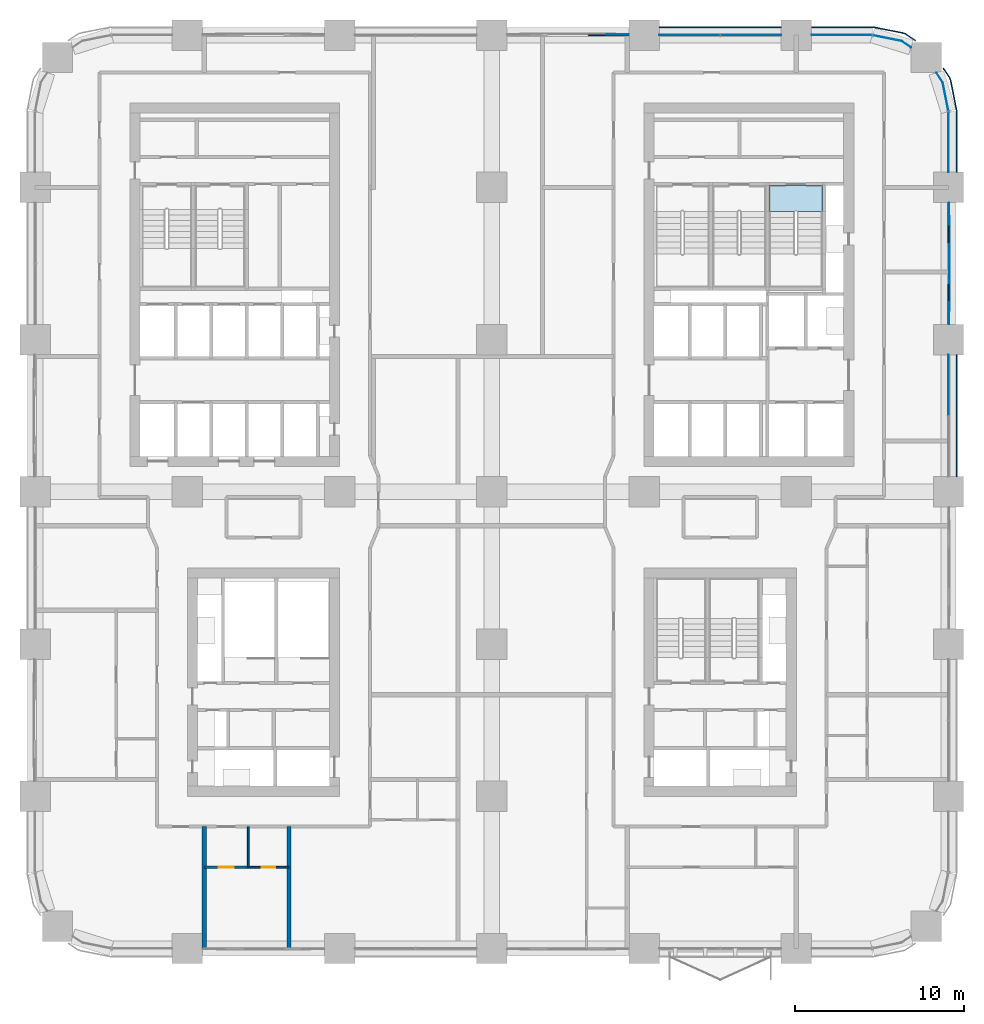
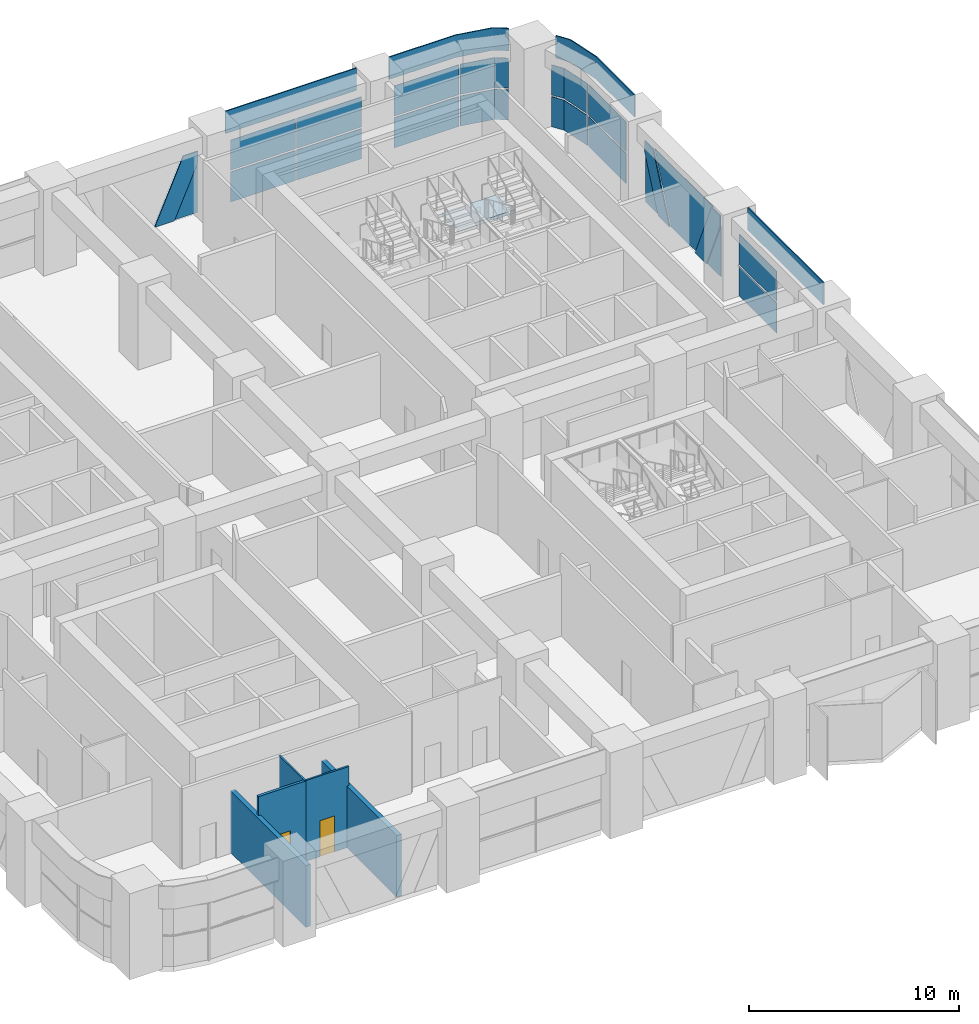
# One storey, part 14 of 26: 25 plates, 5 walls, 2 doors, 1 slab, 2 openings, 7 elements without a shape of their own.
"""IFC4 building model written with IfcOpenShell, lengths in metres."""

from ifc_helpers import new_model, si_unit, direction, frame, frame_2d, origin, origin_2d, place, context, subcontext, project, spatial, polyline, rectangle, outline, extrude, material, layer, layer_set, type_object, element, fill, aggregate, save


model = new_model("IFC4")

# Units and contexts
model_context = context("Model", 3, precision=1e-05, world=origin(), true_north=direction((0.0, 1.0)))
body_context = subcontext(model_context, "Body", "Model", "MODEL_VIEW")
ifc_project = project(units=[si_unit("LENGTHUNIT", "METRE"), si_unit("AREAUNIT", "SQUARE_METRE"), si_unit("VOLUMEUNIT", "CUBIC_METRE"), si_unit("PLANEANGLEUNIT", "RADIAN"), si_unit("MASSUNIT", "GRAM", prefix="KILO")], contexts=[model_context])

# Site, building, storey
site_placement = place(None, origin())
site = spatial("IfcSite", under=ifc_project, at=site_placement, CompositionType="ELEMENT")
building_placement = place(site_placement, origin())
building = spatial("IfcBuilding", under=site, at=building_placement, Name="Tessera Arch", CompositionType="ELEMENT")
storey_placement = place(building_placement, frame((0.0, 0.0, 72.800048828125)))
storey = spatial("IfcBuildingStorey", under=building, at=storey_placement, Name="L16", CompositionType="ELEMENT", Elevation=72.800048828125)

# Curtain wall, plates
ifc_material_1 = material(Name="CW1 curtain wall")
curtain_wall_type_1 = type_object("IfcCurtainWallType", Name="CW1 curtain wall", PredefinedType="NOTDEFINED", material=ifc_material_1)
curtain_wall_1_placement = place(storey_placement, origin())
curtain_wall_1 = element("IfcCurtainWall", 1, at=curtain_wall_1_placement, inside=storey, type_object=curtain_wall_type_1, Name="CW1 curtain wall E54.0/3 L16", PredefinedType="NOTDEFINED")
ifc_material_2 = material(Name="Clear low-e glass", Category="glass")
ifc_material_3 = material(Name="Clear low-e glass", Category="glass")
ifc_layer_1 = layer(ifc_material_3, 0.028076171875)
ifc_layer_set_1 = layer_set([ifc_layer_1], Name="CW1 glass panel")
plate_type_1 = type_object("IfcPlateType", Name="CW1 glass panel", PredefinedType="CURTAIN_PANEL", material=ifc_layer_set_1)
plate_1_placement = place(storey_placement, frame((54.0, 33.31494140625, 0.0), z_axis=(0.0, 0.0, 1.0), x_axis=(0.0, 1.0, 0.0)))
plate_1 = element("IfcPlate", 2, at=plate_1_placement, type_object=plate_type_1, material=ifc_material_2, Name="CW1 glass panel E54.0/3 1.2.1", PredefinedType="CURTAIN_PANEL", context=body_context, shape_type="SweptSolid", body=[
    extrude(rectangle(XDim=3.570068359375, YDim=0.028076171875, at=origin_2d()), origin(), (0.0, 0.0, 1.0), 1.75),
])
plate_2_placement = place(storey_placement, frame((54.0, 33.31494140625, 1.849853515625), z_axis=(0.0, 0.0, 1.0), x_axis=(0.0, 1.0, 0.0)))
plate_2 = element("IfcPlate", 3, at=plate_2_placement, type_object=plate_type_1, material=ifc_material_2, Name="CW1 glass panel E54.0/3 1.2.2", PredefinedType="CURTAIN_PANEL", context=body_context, shape_type="SweptSolid", body=[
    extrude(rectangle(XDim=3.570068359375, YDim=0.028076171875, at=origin_2d()), origin(), (0.0, 0.0, 1.0), 1.75),
])

curtain_wall_2_placement = place(storey_placement, origin())
curtain_wall_2 = element("IfcCurtainWall", 4, at=curtain_wall_2_placement, inside=storey, type_object=curtain_wall_type_1, Name="CW1 curtain wall N54.0/1 L16", PredefinedType="NOTDEFINED")
plate_3_placement = place(storey_placement, frame((42.31494140625, 54.0, 0.0), z_axis=(0.0, 0.0, 1.0), x_axis=(-1.0, 0.0, 0.0)))
plate_3 = element("IfcPlate", 5, at=plate_3_placement, type_object=plate_type_1, material=ifc_material_2, Name="CW1 glass panel N54.0/1 1.1.1", PredefinedType="CURTAIN_PANEL", context=body_context, shape_type="SweptSolid", body=[
    extrude(rectangle(XDim=3.570068359375, YDim=0.028076171875, at=origin_2d()), origin(), (0.0, 0.0, 1.0), 1.75),
])
plate_4_placement = place(storey_placement, frame((42.31494140625, 54.0, 1.849853515625), z_axis=(0.0, 0.0, 1.0), x_axis=(-1.0, 0.0, 0.0)))
plate_4 = element("IfcPlate", 6, at=plate_4_placement, type_object=plate_type_1, material=ifc_material_2, Name="CW1 glass panel N54.0/1 1.1.2", PredefinedType="CURTAIN_PANEL", context=body_context, shape_type="SweptSolid", body=[
    extrude(rectangle(XDim=3.570068359375, YDim=0.028076171875, at=origin_2d()), origin(), (0.0, 0.0, 1.0), 1.75),
])
plate_5_placement = place(storey_placement, frame((38.68505859375, 54.0, 0.0), z_axis=(0.0, 0.0, 1.0), x_axis=(-1.0, 0.0, 0.0)))
plate_5 = element("IfcPlate", 7, at=plate_5_placement, type_object=plate_type_1, material=ifc_material_2, Name="CW1 glass panel N54.0/1 1.2.1", PredefinedType="CURTAIN_PANEL", context=body_context, shape_type="SweptSolid", body=[
    extrude(rectangle(XDim=3.570068359375, YDim=0.028076171875, at=origin_2d()), origin(), (0.0, 0.0, 1.0), 1.75),
])
plate_6_placement = place(storey_placement, frame((38.68505859375, 54.0, 1.849853515625), z_axis=(0.0, 0.0, 1.0), x_axis=(-1.0, 0.0, 0.0)))
plate_6 = element("IfcPlate", 8, at=plate_6_placement, type_object=plate_type_1, material=ifc_material_2, Name="CW1 glass panel N54.0/1 1.2.2", PredefinedType="CURTAIN_PANEL", context=body_context, shape_type="SweptSolid", body=[
    extrude(rectangle(XDim=3.570068359375, YDim=0.028076171875, at=origin_2d()), origin(), (0.0, 0.0, 1.0), 1.75),
])

# Plate
ifc_material_4 = material(Name="Pale anodised aluminium panel", Category="aluminium")
ifc_layer_2 = layer(ifc_material_4, 0.06005859375)
ifc_layer_set_2 = layer_set([ifc_layer_2], Name="CW1 spandrel panel")
plate_type_2 = type_object("IfcPlateType", Name="CW1 spandrel panel", PredefinedType="CURTAIN_PANEL", material=ifc_layer_set_2)
plate_7_placement = place(storey_placement, frame((54.47998046875, 31.5, 3.69970703125), z_axis=(0.0, 0.0, 1.0), x_axis=(0.0, 1.0, 0.0)))
plate_7 = element("IfcPlate", 9, at=plate_7_placement, type_object=plate_type_2, Name="CW1 spandrel panel E54.0/3", PredefinedType="CURTAIN_PANEL", context=body_context, shape_type="SweptSolid", body=[
    extrude(rectangle(XDim=7.199951171875, YDim=0.06005859375, at=origin_2d()), origin(), (0.0, 0.0, 1.0), 1.300048828125),
])

aggregate(curtain_wall_1, [plate_1, plate_2, plate_7])

plate_8_placement = place(storey_placement, frame((40.5, 54.47998046875, 3.69970703125), z_axis=(0.0, 0.0, 1.0), x_axis=(-1.0, 0.0, 0.0)))
plate_8 = element("IfcPlate", 10, at=plate_8_placement, type_object=plate_type_2, Name="CW1 spandrel panel N54.0/1", PredefinedType="CURTAIN_PANEL", context=body_context, shape_type="SweptSolid", body=[
    extrude(rectangle(XDim=7.199951171875, YDim=0.06005859375, at=origin_2d()), origin(), (0.0, 0.0, 1.0), 1.300048828125),
])

aggregate(curtain_wall_2, [plate_3, plate_4, plate_5, plate_6, plate_8])

# Curtain wall, plates
ifc_material_5 = material(Name="CW2 curtain wall")
curtain_wall_type_2 = type_object("IfcCurtainWallType", Name="CW2 curtain wall", PredefinedType="NOTDEFINED", material=ifc_material_5)
curtain_wall_3_placement = place(storey_placement, origin())
curtain_wall_3 = element("IfcCurtainWall", 11, at=curtain_wall_3_placement, inside=storey, type_object=curtain_wall_type_2, Name="CW2 curtain wall E54.0/5 L16", PredefinedType="NOTDEFINED")
ifc_material_6 = material(Name="Clear low-e glass", Category="glass")
ifc_layer_3 = layer(ifc_material_6, 0.028076171875)
ifc_layer_set_3 = layer_set([ifc_layer_3], Name="CW2 glass panel")
plate_type_3 = type_object("IfcPlateType", Name="CW2 glass panel", PredefinedType="CURTAIN_PANEL", material=ifc_layer_set_3)
plate_9_placement = place(storey_placement, frame((54.0, 47.679931640625, 0.0), z_axis=(0.0, 0.0, 1.0), x_axis=(0.0, 1.0, 0.0)))
plate_9 = element("IfcPlate", 12, at=plate_9_placement, type_object=plate_type_3, material=ifc_material_2, Name="CW2 glass panel E54.0/5 1.1", PredefinedType="CURTAIN_PANEL", context=body_context, shape_type="SweptSolid", body=[
    extrude(rectangle(XDim=3.56005859375, YDim=0.028076171875, at=origin_2d()), origin(), (0.0, 0.0, 1.0), 1.75),
])
plate_10_placement = place(storey_placement, origin())
plate_10 = element("IfcPlate", 13, at=plate_10_placement, type_object=plate_type_3, material=ifc_material_2, Name="CW2 curved glass panel E54.0/5 2.1", PredefinedType="CURTAIN_PANEL", context=body_context, shape_type="SweptSolid", body=[
    extrude(outline(polyline([(53.644287109375, 51.216552734375), (53.978515625, 49.53662109375), (54.005859375, 49.5419921875), (53.670654296875, 51.2275390625), (53.294921875, 51.789794921875), (53.271728515625, 51.774169921875), (53.644287109375, 51.216552734375)])), origin(), (0.0, 0.0, 1.0), 1.75),
])
plate_11_placement = place(storey_placement, frame((54.0, 47.679931640625, 1.849853515625), z_axis=(0.0, 0.0, 1.0), x_axis=(0.0, 1.0, 0.0)))
plate_11 = element("IfcPlate", 14, at=plate_11_placement, type_object=plate_type_3, material=ifc_material_2, Name="CW2 glass panel E54.0/5 1.2", PredefinedType="CURTAIN_PANEL", context=body_context, shape_type="SweptSolid", body=[
    extrude(rectangle(XDim=3.56005859375, YDim=0.028076171875, at=origin_2d()), origin(), (0.0, 0.0, 1.0), 1.75),
])
plate_12_placement = place(storey_placement, frame((0.0, 0.0, 1.849853515625)))
plate_12 = element("IfcPlate", 15, at=plate_12_placement, type_object=plate_type_3, material=ifc_material_2, Name="CW2 curved glass panel E54.0/5 2.2", PredefinedType="CURTAIN_PANEL", context=body_context, shape_type="SweptSolid", body=[
    extrude(outline(polyline([(53.644287109375, 51.216552734375), (53.978515625, 49.53662109375), (54.005859375, 49.5419921875), (53.670654296875, 51.2275390625), (53.294921875, 51.789794921875), (53.271728515625, 51.774169921875), (53.644287109375, 51.216552734375)])), origin(), (0.0, 0.0, 1.0), 1.75),
])

curtain_wall_4_placement = place(storey_placement, origin())
curtain_wall_4 = element("IfcCurtainWall", 16, at=curtain_wall_4_placement, inside=storey, type_object=curtain_wall_type_2, Name="CW2 curtain wall N54.0/0 L16", PredefinedType="NOTDEFINED")
plate_13_placement = place(storey_placement, frame((47.679931640625, 54.0, 0.0), z_axis=(0.0, 0.0, 1.0), x_axis=(-1.0, 0.0, 0.0)))
plate_13 = element("IfcPlate", 17, at=plate_13_placement, type_object=plate_type_3, material=ifc_material_2, Name="CW2 glass panel N54.0/0 1.1", PredefinedType="CURTAIN_PANEL", context=body_context, shape_type="SweptSolid", body=[
    extrude(rectangle(XDim=3.56005859375, YDim=0.028076171875, at=origin_2d()), origin(), (0.0, 0.0, 1.0), 1.75),
])
plate_14_placement = place(storey_placement, origin())
plate_14 = element("IfcPlate", 18, at=plate_14_placement, type_object=plate_type_3, material=ifc_material_2, Name="CW2 curved glass panel N54.0/0 2.1", PredefinedType="CURTAIN_PANEL", context=body_context, shape_type="SweptSolid", body=[
    extrude(outline(polyline([(51.216552734375, 53.644287109375), (51.774169921875, 53.271728515625), (51.789794921875, 53.294921875), (51.2275390625, 53.670654296875), (49.5419921875, 54.005859375), (49.53662109375, 53.978515625), (51.216552734375, 53.644287109375)])), origin(), (0.0, 0.0, 1.0), 1.75),
])
plate_15_placement = place(storey_placement, frame((47.679931640625, 54.0, 1.849853515625), z_axis=(0.0, 0.0, 1.0), x_axis=(-1.0, 0.0, 0.0)))
plate_15 = element("IfcPlate", 19, at=plate_15_placement, type_object=plate_type_3, material=ifc_material_2, Name="CW2 glass panel N54.0/0 1.2", PredefinedType="CURTAIN_PANEL", context=body_context, shape_type="SweptSolid", body=[
    extrude(rectangle(XDim=3.56005859375, YDim=0.028076171875, at=origin_2d()), origin(), (0.0, 0.0, 1.0), 1.75),
])
plate_16_placement = place(storey_placement, frame((0.0, 0.0, 1.849853515625)))
plate_16 = element("IfcPlate", 20, at=plate_16_placement, type_object=plate_type_3, material=ifc_material_2, Name="CW2 curved glass panel N54.0/0 2.2", PredefinedType="CURTAIN_PANEL", context=body_context, shape_type="SweptSolid", body=[
    extrude(outline(polyline([(51.216552734375, 53.644287109375), (51.774169921875, 53.271728515625), (51.789794921875, 53.294921875), (51.2275390625, 53.670654296875), (49.5419921875, 54.005859375), (49.53662109375, 53.978515625), (51.216552734375, 53.644287109375)])), origin(), (0.0, 0.0, 1.0), 1.75),
])

# Plate
ifc_material_7 = material(Name="Pale anodised aluminium panel", Category="aluminium")
ifc_layer_4 = layer(ifc_material_7, 0.06005859375)
ifc_layer_set_4 = layer_set([ifc_layer_4], Name="CW2 spandrel panel")
plate_type_4 = type_object("IfcPlateType", Name="CW2 spandrel panel", PredefinedType="CURTAIN_PANEL", material=ifc_layer_set_4)
plate_17_placement = place(storey_placement, frame((0.0, 0.0, 3.699951171875)))
plate_17 = element("IfcPlate", 21, at=plate_17_placement, type_object=plate_type_4, Name="CW2 spandrel panel E54.0/5", PredefinedType="CURTAIN_PANEL", context=body_context, shape_type="SweptSolid", body=[
    extrude(outline(polyline([(54.449951171875, 49.499267578125), (54.449951171875, 45.89990234375), (54.510009765625, 45.89990234375), (54.510009765625, 49.500732421875), (54.507568359375, 49.550048828125), (54.500244140625, 49.598876953125), (54.157470703125, 51.322265625), (54.1455078125, 51.3701171875), (54.128662109375, 51.417236328125), (54.107177734375, 51.462646484375), (54.08203125, 51.5048828125), (53.707275390625, 52.0654296875), (53.657470703125, 52.031982421875), (54.03125, 51.47265625), (54.05419921875, 51.434326171875), (54.0732421875, 51.394287109375), (54.088134765625, 51.352783203125), (54.09912109375, 51.30908203125), (54.441162109375, 49.588623046875), (54.44775390625, 49.544189453125), (54.449951171875, 49.499267578125)])), origin(), (0.0, 0.0, 1.0), 1.300048828125),
])

aggregate(curtain_wall_3, [plate_9, plate_10, plate_11, plate_12, plate_17])

plate_18_placement = place(storey_placement, frame((0.0, 0.0, 3.699951171875)))
plate_18 = element("IfcPlate", 22, at=plate_18_placement, type_object=plate_type_4, Name="CW2 spandrel panel N54.0/0", PredefinedType="CURTAIN_PANEL", context=body_context, shape_type="SweptSolid", body=[
    extrude(outline(polyline([(51.47265625, 54.03125), (52.031982421875, 53.657470703125), (52.0654296875, 53.707275390625), (51.5048828125, 54.08203125), (51.462646484375, 54.107177734375), (51.417236328125, 54.128662109375), (51.3701171875, 54.1455078125), (51.322265625, 54.157470703125), (49.598876953125, 54.500244140625), (49.550048828125, 54.507568359375), (49.500732421875, 54.510009765625), (45.89990234375, 54.510009765625), (45.89990234375, 54.449951171875), (49.499267578125, 54.449951171875), (49.544189453125, 54.44775390625), (49.588623046875, 54.441162109375), (51.30908203125, 54.09912109375), (51.352783203125, 54.088134765625), (51.394287109375, 54.0732421875), (51.434326171875, 54.05419921875), (51.47265625, 54.03125)])), origin(), (0.0, 0.0, 1.0), 1.300048828125),
])

aggregate(curtain_wall_4, [plate_13, plate_14, plate_15, plate_16, plate_18])

# Curtain wall, plates
ifc_material_8 = material(Name="CW3 curtain wall")
curtain_wall_type_3 = type_object("IfcCurtainWallType", Name="CW3 curtain wall", PredefinedType="NOTDEFINED", material=ifc_material_8)
curtain_wall_5_placement = place(storey_placement, origin())
curtain_wall_5 = element("IfcCurtainWall", 23, at=curtain_wall_5_placement, inside=storey, type_object=curtain_wall_type_3, Name="CW3 curtain wall E54.0/4 L16", PredefinedType="NOTDEFINED")
ifc_material_9 = material(Name="Pale anodised aluminium panel", Category="aluminium")
ifc_layer_5 = layer(ifc_material_9, 0.06005859375)
ifc_layer_set_5 = layer_set([ifc_layer_5], Name="CW3 diagonal panel")
plate_type_5 = type_object("IfcPlateType", Name="CW3 diagonal panel", PredefinedType="CURTAIN_PANEL", material=ifc_layer_set_5)
plate_19_placement = place(storey_placement, frame((54.030029296875, 44.10009765625, 3.599853515625), z_axis=(1.0, 0.0, 0.0), x_axis=(0.0, -1.0, 0.0)))
plate_19 = element("IfcPlate", 24, at=plate_19_placement, type_object=plate_type_5, Name="CW3 diagonal panel E54.0/4 1", PredefinedType="CURTAIN_PANEL", context=body_context, shape_type="SweptSolid", body=[
    extrude(outline(polyline([(0.0, 0.0), (0.806396484375, 0.0), (2.38671875, 3.599853515625), (1.30126953125, 3.599853515625), (0.0, 0.63623046875), (0.0, 0.0)])), origin(), (0.0, 0.0, -1.0), 0.06005859375),
])
plate_20_placement = place(storey_placement, frame((54.030029296875, 36.89990234375, 3.599853515625), z_axis=(1.0, 0.0, 0.0), x_axis=(0.0, 0.0, -1.0)))
plate_20 = element("IfcPlate", 25, at=plate_20_placement, type_object=plate_type_5, Name="CW3 diagonal panel E54.0/4 2", PredefinedType="CURTAIN_PANEL", context=body_context, shape_type="SweptSolid", body=[
    extrude(outline(polyline([(0.0, 0.0), (0.63623046875, 0.0), (3.599853515625, 1.30126953125), (3.599853515625, 2.38671875), (0.0, 0.806396484375), (0.0, 0.0)])), origin(), (0.0, 0.0, -1.0), 0.06005859375),
])

# Curtain wall, plate
curtain_wall_6_placement = place(storey_placement, origin())
curtain_wall_6 = element("IfcCurtainWall", 26, at=curtain_wall_6_placement, inside=storey, type_object=curtain_wall_type_3, Name="CW3 curtain wall N54.0/2 L16", PredefinedType="NOTDEFINED")
plate_21_placement = place(storey_placement, frame((35.10009765625, 54.030029296875, 3.599853515625), z_axis=(0.0, 1.0, 0.0), x_axis=(0.0, 0.0, -1.0)))
plate_21 = element("IfcPlate", 27, at=plate_21_placement, type_object=plate_type_5, Name="CW3 diagonal panel N54.0/2 2", PredefinedType="CURTAIN_PANEL", context=body_context, shape_type="SweptSolid", body=[
    extrude(outline(polyline([(0.0, 0.0), (0.63623046875, 0.0), (3.599853515625, 1.30126953125), (3.599853515625, 2.38671875), (0.0, 0.806396484375), (0.0, 0.0)])), origin(), (0.0, 0.0, -1.0), 0.06005859375),
])

# Plate
ifc_material_10 = material(Name="Clear low-e glass", Category="glass")
ifc_layer_6 = layer(ifc_material_10, 0.028076171875)
ifc_layer_set_6 = layer_set([ifc_layer_6], Name="CW3 glass panel")
plate_type_6 = type_object("IfcPlateType", Name="CW3 glass panel", PredefinedType="CURTAIN_PANEL", material=ifc_layer_set_6)
plate_22_placement = place(storey_placement, frame((54.05810546875, 36.89990234375, 0.0), z_axis=(1.0, 0.0, 0.0), x_axis=(0.0, 1.0, 0.0)))
plate_22 = element("IfcPlate", 28, at=plate_22_placement, type_object=plate_type_6, material=ifc_material_2, Name="CW3 triangulated glass panel E54.0/4 1", PredefinedType="CURTAIN_PANEL", context=body_context, shape_type="SweptSolid", body=[
    extrude(outline(polyline([(0.0, 0.0), (1.30126953125, 0.0), (0.0, 2.963623046875), (0.0, 0.0)])), origin(), (0.0, 0.0, -1.0), 0.028076171875),
])

plate_23_placement = place(storey_placement, frame((54.0859375, 43.293701171875, 3.599853515625), z_axis=(1.0, 0.0, 0.0), x_axis=(0.0, -1.0, 0.0)))
plate_23 = element("IfcPlate", 29, at=plate_23_placement, type_object=plate_type_6, material=ifc_material_2, Name="CW3 triangulated glass panel E54.0/4 2", PredefinedType="CURTAIN_PANEL", context=body_context, shape_type="SweptSolid", body=[
    extrude(outline(polyline([(0.0, 0.0), (5.58740234375, 0.0), (4.007080078125, 3.599853515625), (1.580322265625, 3.599853515625), (0.0, 0.0)])), origin(), (0.0, 0.0, -1.0), 0.028076171875),
])

plate_24_placement = place(storey_placement, frame((54.05810546875, 44.10009765625, 0.0), z_axis=(1.0, 0.0, 0.0), x_axis=(0.0, 0.0, 1.0)))
plate_24 = element("IfcPlate", 30, at=plate_24_placement, type_object=plate_type_6, material=ifc_material_2, Name="CW3 triangulated glass panel E54.0/4 3", PredefinedType="CURTAIN_PANEL", context=body_context, shape_type="SweptSolid", body=[
    extrude(outline(polyline([(0.0, 0.0), (2.963623046875, 0.0), (0.0, 1.30126953125), (0.0, 0.0)])), origin(), (0.0, 0.0, -1.0), 0.028076171875),
])

aggregate(curtain_wall_5, [plate_22, plate_23, plate_24, plate_19, plate_20])

plate_25_placement = place(storey_placement, frame((35.10009765625, 54.05810546875, 0.0), z_axis=(0.0, 1.0, 0.0), x_axis=(-1.0, 0.0, 0.0)))
plate_25 = element("IfcPlate", 31, at=plate_25_placement, type_object=plate_type_6, material=ifc_material_2, Name="CW3 triangulated glass panel N54.0/2 1", PredefinedType="CURTAIN_PANEL", context=body_context, shape_type="SweptSolid", body=[
    extrude(outline(polyline([(0.0, 0.0), (1.30126953125, 0.0), (0.0, 2.963623046875), (0.0, 0.0)])), origin(), (0.0, 0.0, -1.0), 0.028076171875),
])

aggregate(curtain_wall_6, [plate_25, plate_21])

# Stair, slab
ifc_material_11 = material(Name="Concrete C40/50", Category="concrete")
stair_type = type_object("IfcStairType", Name="Dogleg stair 1520", PredefinedType="HALF_TURN_STAIR", material=ifc_material_11)
stair_placement = place(storey_placement, origin())
stair = element("IfcStair", 32, at=stair_placement, inside=storey, type_object=stair_type, Name="L16 S1c", PredefinedType="HALF_TURN_STAIR")
ifc_material_12 = material(Name="Concrete C40/50", Category="concrete")
ifc_layer_7 = layer(ifc_material_12, 0.300048828125)
ifc_layer_set_7 = layer_set([ifc_layer_7], Name="Stair landing 300")
slab_type = type_object("IfcSlabType", Name="Stair landing 300", PredefinedType="LANDING", material=ifc_layer_set_7)
slab_placement = place(storey_placement, frame((0.0, 0.0, 2.300048828125)))
slab = element("IfcSlab", 33, at=slab_placement, type_object=slab_type, Name="S1c landing 2", PredefinedType="LANDING", context=body_context, shape_type="SweptSolid", body=[
    extrude(outline(polyline([(43.39990234375, 45.10009765625), (43.39990234375, 43.580078125), (46.550048828125, 43.580078125), (46.550048828125, 45.10009765625), (43.39990234375, 45.10009765625)])), origin(), (0.0, 0.0, 1.0), 0.199951171875),
])
aggregate(stair, [slab])

# Wall, opening, door
ifc_material_13 = material(Name="Gypsum board on steel stud", Category="steel")
ifc_layer_8 = layer(ifc_material_13, 0.14990234375)
ifc_layer_set_8 = layer_set([ifc_layer_8], Name="Partition 150")
wall_type_1 = type_object("IfcWallType", Name="Partition 150", PredefinedType="PARTITIONING", material=ifc_layer_set_8)
wall_1_placement = place(storey_placement, frame((10.0, 4.800048828125, 0.0), z_axis=(0.0, 0.0, 1.0), x_axis=(1.0, 0.0, 0.0)))
wall_1 = element("IfcWall", 34, at=wall_1_placement, inside=storey, type_object=wall_type_1, Name="L16 partition 27", PredefinedType="PARTITIONING", context=body_context, shape_type="SweptSolid", body=[
    extrude(rectangle(XDim=2.60009765625, YDim=0.14990234375, at=frame_2d((1.300048828125, 0.0))), origin(), (0.0, 0.0, 1.0), 4.699951171875),
])
opening_1_placement = place(wall_1_placement, frame((0.85009765625, 0.0, 0.0)))
opening_1 = element("IfcOpeningElement", 35, at=opening_1_placement, cuts=wall_1, Name="Opening L16-D002", PredefinedType="OPENING", context=body_context, shape_type="SweptSolid", body=[
    extrude(rectangle(XDim=0.89990234375, YDim=2.10009765625, at=frame_2d((0.449951171875, 1.050048828125))), frame((0.0, 0.0849609375, 0.0), z_axis=(0.0, -1.0, 0.0), x_axis=(1.0, 0.0, 0.0)), (0.0, 0.0, 1.0), 0.169921875),
])
ifc_material_14 = material(Name="Timber door leaf", Category="wood")
door_type_1 = type_object("IfcDoorType", Name="Room door 900 x 2100", OperationType="SINGLE_SWING_LEFT", PredefinedType="DOOR", material=ifc_material_14)
door_1_placement = place(opening_1_placement, origin())
door_1 = element("IfcDoor", 36, at=door_1_placement, inside=storey, type_object=door_type_1, Name="L16 door D002 type D01", OperationType="SINGLE_SWING_LEFT", OverallHeight=2.10009765625, OverallWidth=0.89990234375, PredefinedType="DOOR", context=body_context, shape_type="SweptSolid", body=[
    extrude(rectangle(XDim=0.89990234375, YDim=2.10009765625, at=frame_2d((0.449951171875, 1.050048828125))), frame((0.0, 0.02490234375, 0.0), z_axis=(0.0, -1.0, 0.0), x_axis=(1.0, 0.0, 0.0)), (0.0, 0.0, 1.0), 0.050048828125),
])
fill(opening_1, door_1)

# Walls
ifc_material_15 = material(Name="Double gypsum board on twin steel stud with acoustic mineral wool", Category="steel")
ifc_layer_9 = layer(ifc_material_15, 0.25)
ifc_layer_set_9 = layer_set([ifc_layer_9], Name="Party wall 250 EI 60")
wall_type_2 = type_object("IfcWallType", Name="Party wall 250 EI 60", PredefinedType="PARTITIONING", material=ifc_layer_set_9)
for number, where, z_axis, x_axis, name in (
    (37, (10.0, 0.0, 0.0), (0.0, 0.0, 1.0), (0.0, 1.0, 0.0), "L16 partition 51"),
    (38, (15.0, 0.0, 0.0), (0.0, 0.0, 1.0), (0.0, 1.0, 0.0), "L16 partition 53"),
):
    element("IfcWall", number, at=place(storey_placement, frame(where, z_axis=z_axis, x_axis=x_axis)), inside=storey, type_object=wall_type_2, Name=name, PredefinedType="PARTITIONING", context=body_context, shape_type="SweptSolid", body=[
        extrude(rectangle(XDim=7.199951171875, YDim=0.25, at=frame_2d((3.60009765625, 0.0))), origin(), (0.0, 0.0, 1.0), 3.58984375),
    ])

# Wall, opening, door
ifc_material_16 = material(Name="Moisture-resistant board on pre-plumbed steel stud", Category="steel")
ifc_layer_10 = layer(ifc_material_16, 0.10009765625)
ifc_layer_set_10 = layer_set([ifc_layer_10], Name="Wet wall 100")
wall_type_3 = type_object("IfcWallType", Name="Wet wall 100", PredefinedType="PARTITIONING", material=ifc_layer_set_10)
wall_2_placement = place(storey_placement, frame((12.60009765625, 4.800048828125, 0.0), z_axis=(0.0, 0.0, 1.0), x_axis=(1.0, 0.0, 0.0)))
wall_2 = element("IfcWall", 39, at=wall_2_placement, inside=storey, type_object=wall_type_3, Name="L16 partition 63", PredefinedType="PARTITIONING", context=body_context, shape_type="SweptSolid", body=[
    extrude(rectangle(XDim=2.39990234375, YDim=0.10009765625, at=frame_2d((1.199951171875, 0.0))), origin(), (0.0, 0.0, 1.0), 4.699951171875),
])
opening_2_placement = place(wall_2_placement, frame((0.800048828125, 0.0, 0.0)))
opening_2 = element("IfcOpeningElement", 40, at=opening_2_placement, cuts=wall_2, Name="Opening L16-D003", PredefinedType="OPENING", context=body_context, shape_type="SweptSolid", body=[
    extrude(rectangle(XDim=0.800048828125, YDim=2.10009765625, at=frame_2d((0.39990234375, 1.050048828125))), frame((0.0, 0.06005859375, 0.0), z_axis=(0.0, -1.0, 0.0), x_axis=(1.0, 0.0, 0.0)), (0.0, 0.0, 1.0), 0.1201171875),
])
ifc_material_17 = material(Name="Timber door leaf", Category="wood")
door_type_2 = type_object("IfcDoorType", Name="En-suite door 800 x 2100", OperationType="SINGLE_SWING_LEFT", PredefinedType="DOOR", material=ifc_material_17)
door_2_placement = place(opening_2_placement, origin())
door_2 = element("IfcDoor", 41, at=door_2_placement, inside=storey, type_object=door_type_2, Name="L16 door D003 type D02", OperationType="SINGLE_SWING_RIGHT", OverallHeight=2.10009765625, OverallWidth=0.800048828125, PredefinedType="DOOR", context=body_context, shape_type="SweptSolid", body=[
    extrude(rectangle(XDim=0.800048828125, YDim=2.10009765625, at=frame_2d((0.39990234375, 1.050048828125))), frame((0.0, 0.02490234375, 0.0), z_axis=(0.0, -1.0, 0.0), x_axis=(1.0, 0.0, 0.0)), (0.0, 0.0, 1.0), 0.050048828125),
])
fill(opening_2, door_2)

# Wall
wall_3_placement = place(storey_placement, frame((12.60009765625, 4.800048828125, 0.0), z_axis=(0.0, 0.0, 1.0), x_axis=(0.0, 1.0, 0.0)))
element("IfcWall", 42, at=wall_3_placement, inside=storey, type_object=wall_type_3, Name="L16 partition 70", PredefinedType="PARTITIONING", context=body_context, shape_type="SweptSolid", body=[
    extrude(rectangle(XDim=2.39990234375, YDim=0.10009765625, at=frame_2d((1.199951171875, 0.0))), origin(), (0.0, 0.0, 1.0), 4.699951171875),
])

save(model, "model.ifc")
